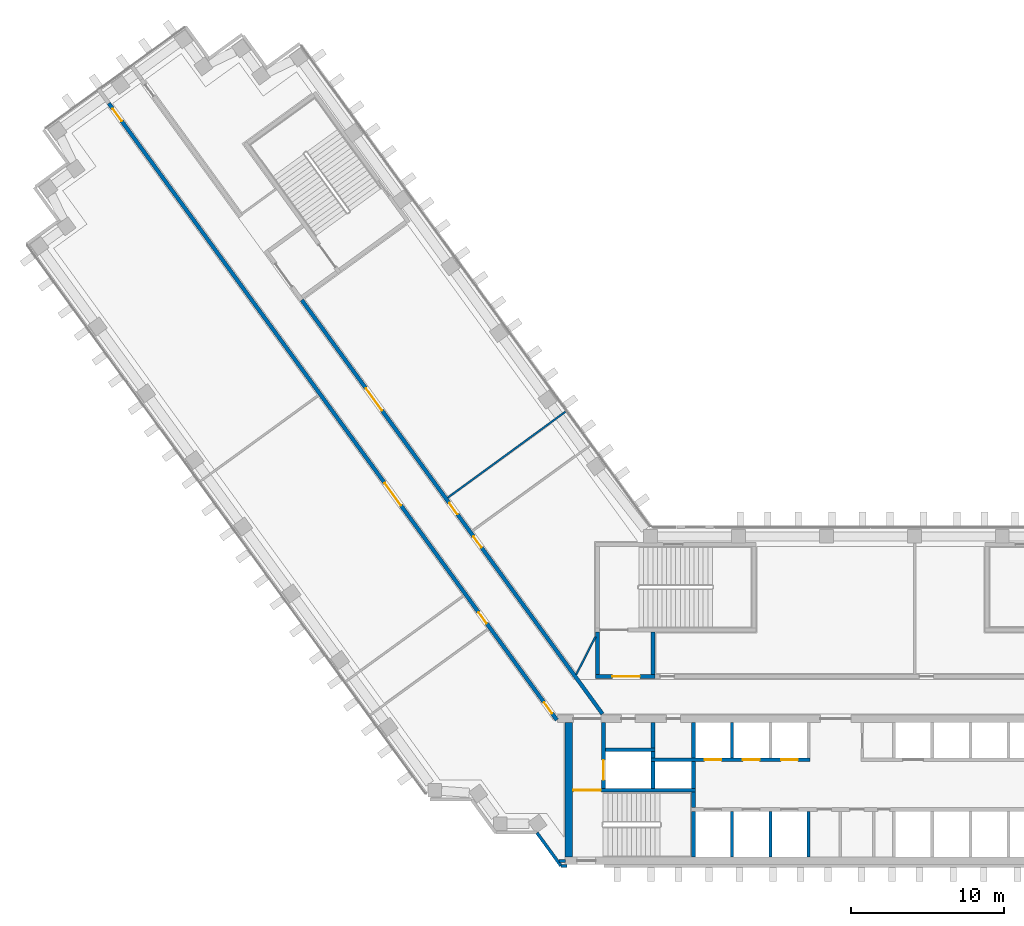
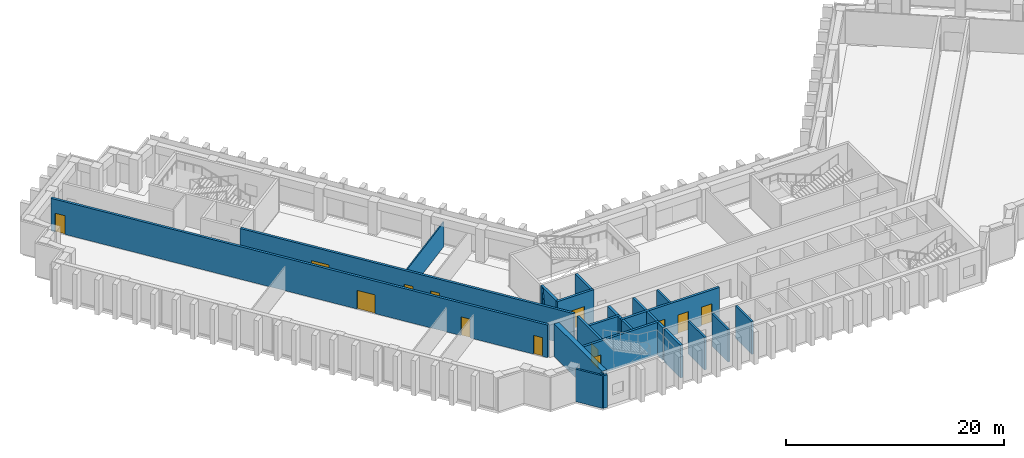
# One storey, part 6 of 13: 26 walls, 13 doors, 13 openings.
"""IFC4 building model written with IfcOpenShell, lengths in metres."""

from ifc_helpers import new_model, si_unit, direction, frame, frame_2d, origin, place, context, subcontext, project, spatial, rectangle, extrude, material, layer, layer_set, type_object, element, fill, save


model = new_model("IFC4")

# Units and contexts
model_context = context("Model", 3, precision=1e-05, world=origin(), true_north=direction((0.0, 1.0)))
body_context = subcontext(model_context, "Body", "Model", "MODEL_VIEW")
ifc_project = project(units=[si_unit("LENGTHUNIT", "METRE"), si_unit("AREAUNIT", "SQUARE_METRE"), si_unit("VOLUMEUNIT", "CUBIC_METRE"), si_unit("PLANEANGLEUNIT", "RADIAN"), si_unit("MASSUNIT", "GRAM", prefix="KILO")], contexts=[model_context])

# Site, building, storey
site_placement = place(None, origin())
site = spatial("IfcSite", under=ifc_project, at=site_placement, CompositionType="ELEMENT")
building_placement = place(site_placement, origin())
building = spatial("IfcBuilding", under=site, at=building_placement, Name="Quipu Civic Tower", CompositionType="ELEMENT")
storey_placement = place(building_placement, frame((0.0, 0.0, 85.0)))
storey = spatial("IfcBuildingStorey", under=building, at=storey_placement, Name="L19", CompositionType="ELEMENT", Elevation=85.0)

# Walls
ifc_material_1 = material(Name="Concrete C70/85", Category="concrete")
ifc_layer_1 = layer(ifc_material_1, 0.25)
ifc_layer_set_1 = layer_set([ifc_layer_1], Name="Concrete C70/85")
wall_type_1 = type_object("IfcWallType", Name="Core wall 250", PredefinedType="SHEAR", material=ifc_layer_set_1)
wall_1_placement = place(storey_placement, frame((-11.574951171875, -10.5, 0.0), z_axis=(0.0, 0.0, 1.0), x_axis=(0.0, 1.0, 0.0)))
element("IfcWall", 1, at=wall_1_placement, inside=storey, type_object=wall_type_1, Name="Core wall", PredefinedType="SHEAR", context=body_context, shape_type="SweptSolid", body=[
    extrude(rectangle(XDim=3.0, YDim=0.25, at=frame_2d((1.5, 0.0))), origin(), (0.0, 0.0, 1.0), 3.64990234375),
])
wall_2_placement = place(storey_placement, frame((-11.574951171875, -7.25, 0.0), z_axis=(0.0, 0.0, 1.0), x_axis=(0.0, 1.0, 0.0)))
element("IfcWall", 2, at=wall_2_placement, inside=storey, type_object=wall_type_1, Name="Core wall", PredefinedType="SHEAR", context=body_context, shape_type="SweptSolid", body=[
    extrude(rectangle(XDim=1.0, YDim=0.25, at=frame_2d((0.5, 0.0))), origin(), (0.0, 0.0, 1.0), 3.64990234375),
])

# Wall, opening, door
wall_3_placement = place(storey_placement, frame((-11.449951171875, -6.125, 0.0), z_axis=(0.0, 0.0, 1.0), x_axis=(-1.0, 0.0, 0.0)))
wall_3 = element("IfcWall", 3, at=wall_3_placement, inside=storey, type_object=wall_type_1, Name="Core wall", PredefinedType="SHEAR", context=body_context, shape_type="SweptSolid", body=[
    extrude(rectangle(XDim=8.050048828125, YDim=0.25, at=frame_2d((4.02490234375, 0.0))), origin(), (0.0, 0.0, 1.0), 3.64990234375),
])
opening_1_placement = place(wall_3_placement, frame((6.199951171875, 0.0, 0.0)))
opening_1 = element("IfcOpeningElement", 4, at=opening_1_placement, cuts=wall_3, Name="Opening CD-04", PredefinedType="OPENING", context=body_context, shape_type="SweptSolid", body=[
    extrude(rectangle(XDim=1.800048828125, YDim=2.10009765625, at=frame_2d((0.89990234375, 1.050048828125))), frame((0.0, 0.135009765625, 0.0), z_axis=(0.0, -1.0, 0.0), x_axis=(1.0, 0.0, 0.0)), (0.0, 0.0, 1.0), 0.27001953125),
])
ifc_material_2 = material(Name="Fire rated steel door", Category="steel")
door_type_1 = type_object("IfcDoorType", Name="Fire door FD90 double 1800 x 2100", OperationType="NOTDEFINED", PredefinedType="DOOR", material=ifc_material_2)
door_1_placement = place(opening_1_placement, origin())
door_1 = element("IfcDoor", 5, at=door_1_placement, inside=storey, type_object=door_type_1, Name="Door", OperationType="DOUBLE_DOOR_SINGLE_SWING", OverallHeight=2.10009765625, OverallWidth=1.800048828125, PredefinedType="DOOR", context=body_context, shape_type="SweptSolid", body=[
    extrude(rectangle(XDim=1.800048828125, YDim=2.10009765625, at=frame_2d((0.89990234375, 1.050048828125))), frame((0.0, 0.02490234375, 0.0), z_axis=(0.0, -1.0, 0.0), x_axis=(1.0, 0.0, 0.0)), (0.0, 0.0, 1.0), 0.050048828125),
])
fill(opening_1, door_1)

wall_4_placement = place(storey_placement, frame((-17.47509765625, -6.0, 0.0), z_axis=(0.0, 0.0, 1.0), x_axis=(0.0, 1.0, 0.0)))
wall_4 = element("IfcWall", 6, at=wall_4_placement, inside=storey, type_object=wall_type_1, Name="Core wall", PredefinedType="SHEAR", context=body_context, shape_type="SweptSolid", body=[
    extrude(rectangle(XDim=4.300048828125, YDim=0.25, at=frame_2d((2.14990234375, 0.0))), origin(), (0.0, 0.0, 1.0), 3.64990234375),
])
opening_2_placement = place(wall_4_placement, frame((0.550048828125, 0.0, 0.0)))
opening_2 = element("IfcOpeningElement", 7, at=opening_2_placement, cuts=wall_4, Name="Opening LD-FF1", PredefinedType="OPENING", context=body_context, shape_type="SweptSolid", body=[
    extrude(rectangle(XDim=1.300048828125, YDim=2.10009765625, at=frame_2d((0.64990234375, 1.050048828125))), frame((0.0, 0.135009765625, 0.0), z_axis=(0.0, -1.0, 0.0), x_axis=(1.0, 0.0, 0.0)), (0.0, 0.0, 1.0), 0.27001953125),
])
ifc_material_3 = material(Name="Stainless steel", Category="steel")
door_type_2 = type_object("IfcDoorType", Name="Lift landing door 1300 x 2100", OperationType="DOUBLE_DOOR_SLIDING", PredefinedType="DOOR", material=ifc_material_3)
door_2_placement = place(opening_2_placement, origin())
door_2 = element("IfcDoor", 8, at=door_2_placement, inside=storey, type_object=door_type_2, Name="Landing door FF1", OperationType="DOUBLE_DOOR_SLIDING", OverallHeight=2.10009765625, OverallWidth=1.300048828125, PredefinedType="DOOR", context=body_context, shape_type="SweptSolid", body=[
    extrude(rectangle(XDim=1.300048828125, YDim=2.10009765625, at=frame_2d((0.64990234375, 1.050048828125))), frame((0.0, 0.02490234375, 0.0), z_axis=(0.0, -1.0, 0.0), x_axis=(1.0, 0.0, 0.0)), (0.0, 0.0, 1.0), 0.050048828125),
])
fill(opening_2, door_2)

# Walls
for number, where, z_axis, x_axis, name in (
    (9, (-14.22509765625, -6.0, 0.0), (0.0, 0.0, 1.0), (0.0, 1.0, 0.0), "Core wall"),
    (10, (-11.574951171875, -6.0, 0.0), (0.0, 0.0, 1.0), (0.0, 1.0, 0.0), "Core wall"),
):
    element("IfcWall", number, at=place(storey_placement, frame(where, z_axis=z_axis, x_axis=x_axis)), inside=storey, type_object=wall_type_1, Name=name, PredefinedType="SHEAR", context=body_context, shape_type="SweptSolid", body=[
        extrude(rectangle(XDim=1.75, YDim=0.25, at=frame_2d((0.875, 0.0))), origin(), (0.0, 0.0, 1.0), 3.64990234375),
    ])

# Wall, openings, doors
wall_5_placement = place(storey_placement, frame((-14.35009765625, -4.125, 0.0), z_axis=(0.0, 0.0, 1.0), x_axis=(1.0, 0.0, 0.0)))
wall_5 = element("IfcWall", 11, at=wall_5_placement, inside=storey, type_object=wall_type_1, Name="Core wall", PredefinedType="SHEAR", context=body_context, shape_type="SweptSolid", body=[
    extrude(rectangle(XDim=10.400146484375, YDim=0.25, at=frame_2d((5.2001953125, 0.0))), origin(), (0.0, 0.0, 1.0), 3.64990234375),
])
opening_3_placement = place(wall_5_placement, frame((3.5, 0.0, 0.0)))
opening_3 = element("IfcOpeningElement", 12, at=opening_3_placement, cuts=wall_5, Name="Opening LD-LL4", PredefinedType="OPENING", context=body_context, shape_type="SweptSolid", body=[
    extrude(rectangle(XDim=1.10009765625, YDim=2.10009765625, at=frame_2d((0.550048828125, 1.050048828125))), frame((0.0, 0.135009765625, 0.0), z_axis=(0.0, -1.0, 0.0), x_axis=(1.0, 0.0, 0.0)), (0.0, 0.0, 1.0), 0.27001953125),
])
opening_4_placement = place(wall_5_placement, frame((6.0, 0.0, 0.0)))
opening_4 = element("IfcOpeningElement", 13, at=opening_4_placement, cuts=wall_5, Name="Opening LD-LL5", PredefinedType="OPENING", context=body_context, shape_type="SweptSolid", body=[
    extrude(rectangle(XDim=1.10009765625, YDim=2.10009765625, at=frame_2d((0.550048828125, 1.050048828125))), frame((0.0, 0.135009765625, 0.0), z_axis=(0.0, -1.0, 0.0), x_axis=(1.0, 0.0, 0.0)), (0.0, 0.0, 1.0), 0.27001953125),
])
opening_5_placement = place(wall_5_placement, frame((8.5, 0.0, 0.0)))
opening_5 = element("IfcOpeningElement", 14, at=opening_5_placement, cuts=wall_5, Name="Opening LD-LL6", PredefinedType="OPENING", context=body_context, shape_type="SweptSolid", body=[
    extrude(rectangle(XDim=1.10009765625, YDim=2.10009765625, at=frame_2d((0.550048828125, 1.050048828125))), frame((0.0, 0.135009765625, 0.0), z_axis=(0.0, -1.0, 0.0), x_axis=(1.0, 0.0, 0.0)), (0.0, 0.0, 1.0), 0.27001953125),
])
ifc_material_4 = material(Name="Stainless steel", Category="steel")
door_type_3 = type_object("IfcDoorType", Name="Lift landing door 1100 x 2100", OperationType="DOUBLE_DOOR_SLIDING", PredefinedType="DOOR", material=ifc_material_4)
door_3_placement = place(opening_3_placement, origin())
door_3 = element("IfcDoor", 15, at=door_3_placement, inside=storey, type_object=door_type_3, Name="Landing door LL4", OperationType="DOUBLE_DOOR_SLIDING", OverallHeight=2.10009765625, OverallWidth=1.10009765625, PredefinedType="DOOR", context=body_context, shape_type="SweptSolid", body=[
    extrude(rectangle(XDim=1.10009765625, YDim=2.10009765625, at=frame_2d((0.550048828125, 1.050048828125))), frame((0.0, 0.02490234375, 0.0), z_axis=(0.0, -1.0, 0.0), x_axis=(1.0, 0.0, 0.0)), (0.0, 0.0, 1.0), 0.050048828125),
])
fill(opening_3, door_3)
door_4_placement = place(opening_4_placement, origin())
door_4 = element("IfcDoor", 16, at=door_4_placement, inside=storey, type_object=door_type_3, Name="Landing door LL5", OperationType="DOUBLE_DOOR_SLIDING", OverallHeight=2.10009765625, OverallWidth=1.10009765625, PredefinedType="DOOR", context=body_context, shape_type="SweptSolid", body=[
    extrude(rectangle(XDim=1.10009765625, YDim=2.10009765625, at=frame_2d((0.550048828125, 1.050048828125))), frame((0.0, 0.02490234375, 0.0), z_axis=(0.0, -1.0, 0.0), x_axis=(1.0, 0.0, 0.0)), (0.0, 0.0, 1.0), 0.050048828125),
])
fill(opening_4, door_4)
door_5_placement = place(opening_5_placement, origin())
door_5 = element("IfcDoor", 17, at=door_5_placement, inside=storey, type_object=door_type_3, Name="Landing door LL6", OperationType="DOUBLE_DOOR_SLIDING", OverallHeight=2.10009765625, OverallWidth=1.10009765625, PredefinedType="DOOR", context=body_context, shape_type="SweptSolid", body=[
    extrude(rectangle(XDim=1.10009765625, YDim=2.10009765625, at=frame_2d((0.550048828125, 1.050048828125))), frame((0.0, 0.02490234375, 0.0), z_axis=(0.0, -1.0, 0.0), x_axis=(1.0, 0.0, 0.0)), (0.0, 0.0, 1.0), 0.050048828125),
])
fill(opening_5, door_5)

# Walls
wall_6_placement = place(storey_placement, frame((-14.22509765625, -4.0, 0.0), z_axis=(0.0, 0.0, 1.0), x_axis=(0.0, 1.0, 0.0)))
element("IfcWall", 18, at=wall_6_placement, inside=storey, type_object=wall_type_1, Name="Core wall", PredefinedType="SHEAR", context=body_context, shape_type="SweptSolid", body=[
    extrude(rectangle(XDim=0.39990234375, YDim=0.25, at=frame_2d((0.199951171875, 0.0))), origin(), (0.0, 0.0, 1.0), 3.64990234375),
])
wall_7_placement = place(storey_placement, frame((-11.574951171875, -4.0, 0.0), z_axis=(0.0, 0.0, 1.0), x_axis=(0.0, 1.0, 0.0)))
element("IfcWall", 19, at=wall_7_placement, inside=storey, type_object=wall_type_1, Name="Core wall", PredefinedType="SHEAR", context=body_context, shape_type="SweptSolid", body=[
    extrude(rectangle(XDim=2.300048828125, YDim=0.25, at=frame_2d((1.14990234375, 0.0))), origin(), (0.0, 0.0, 1.0), 3.64990234375),
])
wall_8_placement = place(storey_placement, frame((-17.35009765625, -3.47509765625, 0.0), z_axis=(0.0, 0.0, 1.0), x_axis=(1.0, 0.0, 0.0)))
element("IfcWall", 20, at=wall_8_placement, inside=storey, type_object=wall_type_1, Name="Core wall", PredefinedType="SHEAR", context=body_context, shape_type="SweptSolid", body=[
    extrude(rectangle(XDim=3.25, YDim=0.25, at=frame_2d((1.625, 0.0))), origin(), (0.0, 0.0, 1.0), 3.64990234375),
])
wall_9_placement = place(storey_placement, frame((-14.22509765625, -3.35009765625, 0.0), z_axis=(0.0, 0.0, 1.0), x_axis=(0.0, 1.0, 0.0)))
element("IfcWall", 21, at=wall_9_placement, inside=storey, type_object=wall_type_1, Name="Core wall", PredefinedType="SHEAR", context=body_context, shape_type="SweptSolid", body=[
    extrude(rectangle(XDim=1.650146484375, YDim=0.25, at=frame_2d((0.8251953125, 0.0))), origin(), (0.0, 0.0, 1.0), 3.64990234375),
])

# Wall, opening, door
wall_10_placement = place(storey_placement, frame((-18.0, 1.324951171875, 0.0), z_axis=(0.0, 0.0, 1.0), x_axis=(1.0, 0.0, 0.0)))
wall_10 = element("IfcWall", 22, at=wall_10_placement, inside=storey, type_object=wall_type_1, Name="Core wall", PredefinedType="SHEAR", context=body_context, shape_type="SweptSolid", body=[
    extrude(rectangle(XDim=3.89990234375, YDim=0.25, at=frame_2d((1.949951171875, 0.0))), origin(), (0.0, 0.0, 1.0), 3.64990234375),
])
opening_6_placement = place(wall_10_placement, frame((1.10009765625, 0.0, 0.0)))
opening_6 = element("IfcOpeningElement", 23, at=opening_6_placement, cuts=wall_10, Name="Opening CD-15", PredefinedType="OPENING", context=body_context, shape_type="SweptSolid", body=[
    extrude(rectangle(XDim=1.800048828125, YDim=2.10009765625, at=frame_2d((0.89990234375, 1.050048828125))), frame((0.0, 0.135009765625, 0.0), z_axis=(0.0, -1.0, 0.0), x_axis=(1.0, 0.0, 0.0)), (0.0, 0.0, 1.0), 0.27001953125),
])
door_6_placement = place(opening_6_placement, origin())
door_6 = element("IfcDoor", 24, at=door_6_placement, inside=storey, type_object=door_type_1, Name="Lobby door", OperationType="DOUBLE_DOOR_SINGLE_SWING", OverallHeight=2.10009765625, OverallWidth=1.800048828125, PredefinedType="DOOR", context=body_context, shape_type="SweptSolid", body=[
    extrude(rectangle(XDim=1.800048828125, YDim=2.10009765625, at=frame_2d((0.89990234375, 1.050048828125))), frame((0.0, 0.02490234375, 0.0), z_axis=(0.0, -1.0, 0.0), x_axis=(1.0, 0.0, 0.0)), (0.0, 0.0, 1.0), 0.050048828125),
])
fill(opening_6, door_6)

# Walls
for number, where, z_axis, x_axis, name in (
    (25, (-17.875, 1.449951171875, 0.0), (0.0, 0.0, 1.0), (0.0, 1.0, 0.0), "Core wall"),
    (26, (-14.22509765625, 1.449951171875, 0.0), (0.0, 0.0, 1.0), (0.0, 1.0, 0.0), "Core wall"),
):
    element("IfcWall", number, at=place(storey_placement, frame(where, z_axis=z_axis, x_axis=x_axis)), inside=storey, type_object=wall_type_1, Name=name, PredefinedType="SHEAR", context=body_context, shape_type="SweptSolid", body=[
        extrude(rectangle(XDim=2.800048828125, YDim=0.25, at=frame_2d((1.39990234375, 0.0))), origin(), (0.0, 0.0, 1.0), 3.64990234375),
    ])
ifc_material_5 = material(Name="Concrete C70/85", Category="concrete")
ifc_layer_2 = layer(ifc_material_5, 0.5)
ifc_layer_set_2 = layer_set([ifc_layer_2], Name="Concrete C70/85")
wall_type_2 = type_object("IfcWallType", Name="Core wall 500", PredefinedType="SHEAR", material=ifc_layer_set_2)
wall_11_placement = place(storey_placement, frame((-19.75, -10.5, 0.0), z_axis=(0.0, 0.0, 1.0), x_axis=(0.0, 1.0, 0.0)))
element("IfcWall", 27, at=wall_11_placement, inside=storey, type_object=wall_type_2, Name="Core wall", PredefinedType="SHEAR", context=body_context, shape_type="SweptSolid", body=[
    extrude(rectangle(XDim=8.800048828125, YDim=0.5, at=frame_2d((4.39990234375, 0.0))), origin(), (0.0, 0.0, 1.0), 3.64990234375),
])

# Wall, openings, doors
ifc_material_6 = material(Name="Concrete C50/60", Category="concrete")
ifc_layer_3 = layer(ifc_material_6, 0.25)
ifc_layer_set_3 = layer_set([ifc_layer_3], Name="Concrete C50/60")
wall_type_3 = type_object("IfcWallType", Name="Corridor wall 250 concrete", PredefinedType="SOLIDWALL", material=ifc_layer_set_3)
wall_12_placement = place(storey_placement, frame((-20.531005859375, -1.5234375, 0.0), z_axis=(0.0, 0.0, 1.0), x_axis=(-0.587784522481, 0.809017524614, 0.0)))
wall_12 = element("IfcWall", 28, at=wall_12_placement, inside=storey, type_object=wall_type_3, Name="Corridor wall C01", PredefinedType="SOLIDWALL", context=body_context, shape_type="SweptSolid", body=[
    extrude(rectangle(XDim=49.912353515625, YDim=0.25, at=frame_2d((24.9560546875, 0.0))), origin(), (0.0, 0.0, 1.0), 3.64990234375),
])
opening_7_placement = place(wall_12_placement, frame((0.53271484375, 0.0, 0.0)))
opening_7 = element("IfcOpeningElement", 29, at=opening_7_placement, cuts=wall_12, Name="Opening D015", PredefinedType="OPENING", context=body_context, shape_type="SweptSolid", body=[
    extrude(rectangle(XDim=0.89990234375, YDim=2.10009765625, at=frame_2d((0.449951171875, 1.050048828125))), frame((0.0, 0.135009765625, 0.0), z_axis=(0.0, -1.0, 0.0), x_axis=(1.0, 0.0, 0.0)), (0.0, 0.0, 1.0), 0.27001953125),
])
opening_8_placement = place(wall_12_placement, frame((48.470458984375, 0.0, 0.0)))
opening_8 = element("IfcOpeningElement", 30, at=opening_8_placement, cuts=wall_12, Name="Opening D012", PredefinedType="OPENING", context=body_context, shape_type="SweptSolid", body=[
    extrude(rectangle(XDim=1.0, YDim=2.10009765625, at=frame_2d((0.5, 1.050048828125))), frame((0.0, 0.135009765625, 0.0), z_axis=(0.0, -1.0, 0.0), x_axis=(1.0, 0.0, 0.0)), (0.0, 0.0, 1.0), 0.27001953125),
])
opening_9_placement = place(wall_12_placement, frame((17.365234375, 0.0, 0.0)))
opening_9 = element("IfcOpeningElement", 31, at=opening_9_placement, cuts=wall_12, Name="Opening D013", PredefinedType="OPENING", context=body_context, shape_type="SweptSolid", body=[
    extrude(rectangle(XDim=1.800048828125, YDim=2.10009765625, at=frame_2d((0.89990234375, 1.050048828125))), frame((0.0, 0.135009765625, 0.0), z_axis=(0.0, -1.0, 0.0), x_axis=(1.0, 0.0, 0.0)), (0.0, 0.0, 1.0), 0.27001953125),
])
opening_10_placement = place(wall_12_placement, frame((7.81591796875, 0.0, 0.0)))
opening_10 = element("IfcOpeningElement", 32, at=opening_10_placement, cuts=wall_12, Name="Opening D014", PredefinedType="OPENING", context=body_context, shape_type="SweptSolid", body=[
    extrude(rectangle(XDim=0.89990234375, YDim=2.10009765625, at=frame_2d((0.449951171875, 1.050048828125))), frame((0.0, 0.135009765625, 0.0), z_axis=(0.0, -1.0, 0.0), x_axis=(1.0, 0.0, 0.0)), (0.0, 0.0, 1.0), 0.27001953125),
])
ifc_material_7 = material(Name="Fire rated timber door set with metal frame", Category="wood")
door_type_4 = type_object("IfcDoorType", Name="Double door 1800 x 2100 FD60", OperationType="DOUBLE_DOOR_SINGLE_SWING", PredefinedType="DOOR", material=ifc_material_7)
door_7_placement = place(opening_9_placement, origin())
door_7 = element("IfcDoor", 33, at=door_7_placement, inside=storey, type_object=door_type_4, Name="Door D013", OperationType="DOUBLE_DOOR_SINGLE_SWING", OverallHeight=2.10009765625, OverallWidth=1.800048828125, PredefinedType="DOOR", context=body_context, shape_type="SweptSolid", body=[
    extrude(rectangle(XDim=1.800048828125, YDim=2.10009765625, at=frame_2d((0.89990234375, 1.050048828125))), frame((0.0, 0.02490234375, 0.0), z_axis=(0.0, -1.0, 0.0), x_axis=(1.0, 0.0, 0.0)), (0.0, 0.0, 1.0), 0.050048828125),
])
fill(opening_9, door_7)
ifc_material_8 = material(Name="Fire rated timber door set with metal frame", Category="wood")
door_type_5 = type_object("IfcDoorType", Name="Single door 1000 x 2100 FD60", OperationType="NOTDEFINED", PredefinedType="DOOR", material=ifc_material_8)
door_8_placement = place(opening_8_placement, origin())
door_8 = element("IfcDoor", 34, at=door_8_placement, inside=storey, type_object=door_type_5, Name="Door D012", OperationType="SINGLE_SWING_RIGHT", OverallHeight=2.10009765625, OverallWidth=1.0, PredefinedType="DOOR", context=body_context, shape_type="SweptSolid", body=[
    extrude(rectangle(XDim=1.0, YDim=2.10009765625, at=frame_2d((0.5, 1.050048828125))), frame((0.0, 0.02490234375, 0.0), z_axis=(0.0, -1.0, 0.0), x_axis=(1.0, 0.0, 0.0)), (0.0, 0.0, 1.0), 0.050048828125),
])
fill(opening_8, door_8)
ifc_material_9 = material(Name="Fire rated timber door set with metal frame", Category="wood")
door_type_6 = type_object("IfcDoorType", Name="Single door 900 x 2100 FD60", OperationType="NOTDEFINED", PredefinedType="DOOR", material=ifc_material_9)
door_9_placement = place(opening_7_placement, origin())
door_9 = element("IfcDoor", 35, at=door_9_placement, inside=storey, type_object=door_type_6, Name="Door D015", OperationType="SINGLE_SWING_LEFT", OverallHeight=2.10009765625, OverallWidth=0.89990234375, PredefinedType="DOOR", context=body_context, shape_type="SweptSolid", body=[
    extrude(rectangle(XDim=0.89990234375, YDim=2.10009765625, at=frame_2d((0.449951171875, 1.050048828125))), frame((0.0, 0.02490234375, 0.0), z_axis=(0.0, -1.0, 0.0), x_axis=(1.0, 0.0, 0.0)), (0.0, 0.0, 1.0), 0.050048828125),
])
fill(opening_7, door_9)
door_10_placement = place(opening_10_placement, origin())
door_10 = element("IfcDoor", 36, at=door_10_placement, inside=storey, type_object=door_type_6, Name="Door D014", OperationType="SINGLE_SWING_LEFT", OverallHeight=2.10009765625, OverallWidth=0.89990234375, PredefinedType="DOOR", context=body_context, shape_type="SweptSolid", body=[
    extrude(rectangle(XDim=0.89990234375, YDim=2.10009765625, at=frame_2d((0.449951171875, 1.050048828125))), frame((0.0, 0.02490234375, 0.0), z_axis=(0.0, -1.0, 0.0), x_axis=(1.0, 0.0, 0.0)), (0.0, 0.0, 1.0), 0.050048828125),
])
fill(opening_10, door_10)

wall_13_placement = place(storey_placement, frame((-37.231689453125, 25.9716796875, 0.0), z_axis=(0.0, 0.0, 1.0), x_axis=(0.587786323093, -0.809016216391, 0.0)))
wall_13 = element("IfcWall", 37, at=wall_13_placement, inside=storey, type_object=wall_type_3, Name="Corridor wall C03", PredefinedType="SOLIDWALL", context=body_context, shape_type="SweptSolid", body=[
    extrude(rectangle(XDim=33.4931640625, YDim=0.25, at=frame_2d((16.74658203125, 0.0))), origin(), (0.0, 0.0, 1.0), 3.64990234375),
])
opening_11_placement = place(wall_13_placement, frame((19.13525390625, 0.0, 0.0)))
opening_11 = element("IfcOpeningElement", 38, at=opening_11_placement, cuts=wall_13, Name="Opening D011", PredefinedType="OPENING", context=body_context, shape_type="SweptSolid", body=[
    extrude(rectangle(XDim=0.89990234375, YDim=2.10009765625, at=frame_2d((0.449951171875, 1.050048828125))), frame((0.0, 0.135009765625, 0.0), z_axis=(0.0, -1.0, 0.0), x_axis=(1.0, 0.0, 0.0)), (0.0, 0.0, 1.0), 0.27001953125),
])
opening_12_placement = place(wall_13_placement, frame((7.13720703125, 0.0, 0.0)))
opening_12 = element("IfcOpeningElement", 39, at=opening_12_placement, cuts=wall_13, Name="Opening D009", PredefinedType="OPENING", context=body_context, shape_type="SweptSolid", body=[
    extrude(rectangle(XDim=1.800048828125, YDim=2.10009765625, at=frame_2d((0.89990234375, 1.050048828125))), frame((0.0, 0.135009765625, 0.0), z_axis=(0.0, -1.0, 0.0), x_axis=(1.0, 0.0, 0.0)), (0.0, 0.0, 1.0), 0.27001953125),
])
opening_13_placement = place(wall_13_placement, frame((16.434814453125, 0.0, 0.0)))
opening_13 = element("IfcOpeningElement", 40, at=opening_13_placement, cuts=wall_13, Name="Opening D010", PredefinedType="OPENING", context=body_context, shape_type="SweptSolid", body=[
    extrude(rectangle(XDim=0.89990234375, YDim=2.10009765625, at=frame_2d((0.449951171875, 1.050048828125))), frame((0.0, 0.135009765625, 0.0), z_axis=(0.0, -1.0, 0.0), x_axis=(1.0, 0.0, 0.0)), (0.0, 0.0, 1.0), 0.27001953125),
])
door_11_placement = place(opening_12_placement, origin())
door_11 = element("IfcDoor", 41, at=door_11_placement, inside=storey, type_object=door_type_4, Name="Door D009", OperationType="DOUBLE_DOOR_SINGLE_SWING", OverallHeight=2.10009765625, OverallWidth=1.800048828125, PredefinedType="DOOR", context=body_context, shape_type="SweptSolid", body=[
    extrude(rectangle(XDim=1.800048828125, YDim=2.10009765625, at=frame_2d((0.89990234375, 1.050048828125))), frame((0.0, 0.02490234375, 0.0), z_axis=(0.0, -1.0, 0.0), x_axis=(1.0, 0.0, 0.0)), (0.0, 0.0, 1.0), 0.050048828125),
])
fill(opening_12, door_11)
door_12_placement = place(opening_11_placement, origin())
door_12 = element("IfcDoor", 42, at=door_12_placement, inside=storey, type_object=door_type_6, Name="Door D011", OperationType="SINGLE_SWING_LEFT", OverallHeight=2.10009765625, OverallWidth=0.89990234375, PredefinedType="DOOR", context=body_context, shape_type="SweptSolid", body=[
    extrude(rectangle(XDim=0.89990234375, YDim=2.10009765625, at=frame_2d((0.449951171875, 1.050048828125))), frame((0.0, 0.02490234375, 0.0), z_axis=(0.0, -1.0, 0.0), x_axis=(1.0, 0.0, 0.0)), (0.0, 0.0, 1.0), 0.050048828125),
])
fill(opening_11, door_12)
door_13_placement = place(opening_13_placement, origin())
door_13 = element("IfcDoor", 43, at=door_13_placement, inside=storey, type_object=door_type_6, Name="Door D010", OperationType="SINGLE_SWING_LEFT", OverallHeight=2.10009765625, OverallWidth=0.89990234375, PredefinedType="DOOR", context=body_context, shape_type="SweptSolid", body=[
    extrude(rectangle(XDim=0.89990234375, YDim=2.10009765625, at=frame_2d((0.449951171875, 1.050048828125))), frame((0.0, 0.02490234375, 0.0), z_axis=(0.0, -1.0, 0.0), x_axis=(1.0, 0.0, 0.0)), (0.0, 0.0, 1.0), 0.050048828125),
])
fill(opening_13, door_13)

# Walls
ifc_material_10 = material(Name="Gypsum plasterboard on light gauge framing")
ifc_layer_4 = layer(ifc_material_10, 0.1201171875)
ifc_layer_set_4 = layer_set([ifc_layer_4], Name="Gypsum plasterboard on light gauge framing")
wall_type_4 = type_object("IfcWallType", Name="Partition 120 plasterboard", PredefinedType="PARTITIONING", material=ifc_layer_set_4)
wall_14_placement = place(storey_placement, frame((-27.676025390625, 13.031982421875, 0.0), z_axis=(0.0, 0.0, 1.0), x_axis=(0.807606997933, 0.589721067023, 0.0)))
element("IfcWall", 44, at=wall_14_placement, inside=storey, type_object=wall_type_4, Name="Partition P07", PredefinedType="PARTITIONING", context=body_context, shape_type="SweptSolid", body=[
    extrude(rectangle(XDim=9.550048828125, YDim=0.1201171875, at=frame_2d((4.77490234375, 0.0))), origin(), (0.0, 0.0, 1.0), 2.75),
])
wall_15_placement = place(storey_placement, frame((-19.260986328125, 1.449951171875, 0.0), z_axis=(0.0, 0.0, 1.0), x_axis=(0.453950796792, 0.891026752736, 0.0)))
element("IfcWall", 45, at=wall_15_placement, inside=storey, type_object=wall_type_4, Name="Partition P10", PredefinedType="PARTITIONING", context=body_context, shape_type="SweptSolid", body=[
    extrude(rectangle(XDim=2.77783203125, YDim=0.1201171875, at=frame_2d((1.388916015625, 0.0))), origin(), (0.0, 0.0, 1.0), 3.64990234375),
])
ifc_material_11 = material(Name="Precast concrete C40/50", Category="concrete")
wall_type_5 = type_object("IfcWallType", Name="Precast cladding wall", PredefinedType="SOLIDWALL", material=ifc_material_11)
wall_16_placement = place(storey_placement, frame((-21.8330078125, -8.90869140625, 0.0), z_axis=(0.0, 0.0, 1.0), x_axis=(0.587766567315, -0.809030569476, 0.0)))
element("IfcWall", 46, at=wall_16_placement, inside=storey, type_object=wall_type_5, Name="Precast cladding wall L19 31", PredefinedType="SOLIDWALL", context=body_context, shape_type="SweptSolid", body=[
    extrude(rectangle(XDim=2.687744140625, YDim=0.199951171875, at=frame_2d((1.34375, 0.0))), origin(), (0.0, 0.0, 1.0), 3.64990234375),
])
wall_17_placement = place(storey_placement, frame((-20.255859375, -11.087890625, 0.0), z_axis=(0.0, 0.0, 1.0), x_axis=(1.0, 0.0, 0.0)))
element("IfcWall", 47, at=wall_17_placement, inside=storey, type_object=wall_type_5, Name="Precast cladding wall L19 32", PredefinedType="SOLIDWALL", context=body_context, shape_type="SweptSolid", body=[
    extrude(rectangle(XDim=0.40576171875, YDim=0.199951171875, at=frame_2d((0.202880859375, 0.0))), origin(), (0.0, 0.0, 1.0), 3.64990234375),
])
wall_18_placement = place(storey_placement, frame((-19.97998046875, -10.75, 0.0), z_axis=(0.0, 0.0, 1.0), x_axis=(-1.0, 0.0, 0.0)))
element("IfcWall", 48, at=wall_18_placement, inside=storey, type_object=wall_type_5, Name="Precast cladding return L19 W", PredefinedType="SOLIDWALL", context=body_context, shape_type="SweptSolid", body=[
    extrude(rectangle(XDim=0.41650390625, YDim=0.199951171875, at=frame_2d((0.208251953125, 0.0))), origin(), (0.0, 0.0, 1.0), 3.64990234375),
])
ifc_material_12 = material(Name="Concrete C40/50", Category="concrete")
ifc_layer_5 = layer(ifc_material_12, 0.199951171875)
ifc_layer_set_5 = layer_set([ifc_layer_5], Name="Concrete C40/50")
wall_type_6 = type_object("IfcWallType", Name="Shaft wall 200", PredefinedType="SOLIDWALL", material=ifc_layer_set_5)
for number, where, z_axis, x_axis, name in (
    (49, (-9.050048828125, -10.5, 0.0), (0.0, 0.0, 1.0), (0.0, 1.0, 0.0), "Shaft wall"),
    (50, (-6.550048828125, -10.5, 0.0), (0.0, 0.0, 1.0), (0.0, 1.0, 0.0), "Shaft wall"),
    (51, (-4.050048828125, -10.5, 0.0), (0.0, 0.0, 1.0), (0.0, 1.0, 0.0), "Shaft wall"),
):
    element("IfcWall", number, at=place(storey_placement, frame(where, z_axis=z_axis, x_axis=x_axis)), inside=storey, type_object=wall_type_6, Name=name, PredefinedType="SOLIDWALL", context=body_context, shape_type="SweptSolid", body=[
        extrude(rectangle(XDim=3.0, YDim=0.199951171875, at=frame_2d((1.5, 0.0))), origin(), (0.0, 0.0, 1.0), 3.64990234375),
    ])
wall_19_placement = place(storey_placement, frame((-9.050048828125, -4.0, 0.0), z_axis=(0.0, 0.0, 1.0), x_axis=(0.0, 1.0, 0.0)))
element("IfcWall", 52, at=wall_19_placement, inside=storey, type_object=wall_type_6, Name="Shaft wall", PredefinedType="SOLIDWALL", context=body_context, shape_type="SweptSolid", body=[
    extrude(rectangle(XDim=2.300048828125, YDim=0.199951171875, at=frame_2d((1.14990234375, 0.0))), origin(), (0.0, 0.0, 1.0), 3.64990234375),
])

save(model, "model.ifc")
